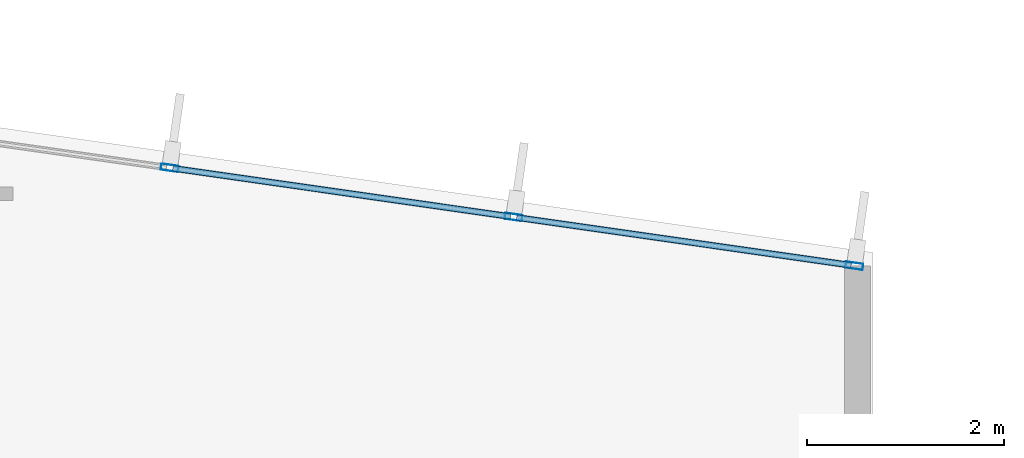
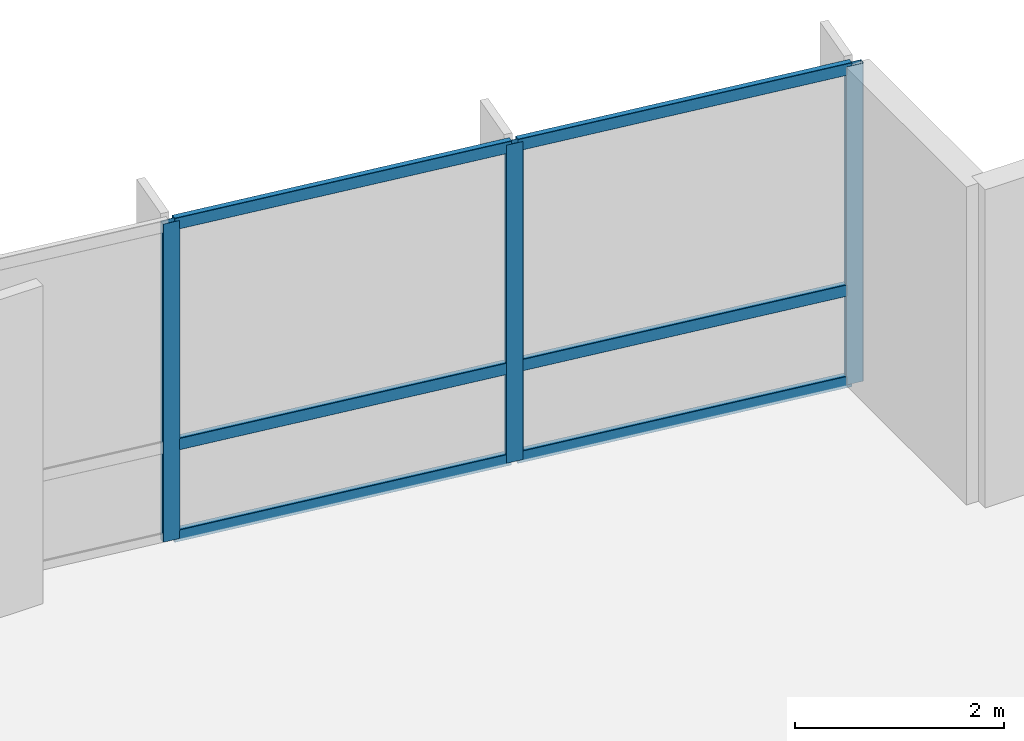
# One storey, part 8 of 16: 9 members, 1 element without a shape of its own.
"""IFC4 building model written with IfcOpenShell, lengths in metres."""

from ifc_helpers import new_model, si_unit, direction, frame, origin, origin_2d, place, context, subcontext, project, spatial, hollow_rectangle, extrude, material, layer, layer_set, material_profile, profile_set, type_object, element, aggregate, save


model = new_model("IFC4")

# Units and contexts
model_context = context("Model", 3, precision=1e-05, world=origin(), true_north=direction((0.0, 1.0)))
body_context = subcontext(model_context, "Body", "Model", "MODEL_VIEW")
ifc_project = project(units=[si_unit("LENGTHUNIT", "METRE"), si_unit("AREAUNIT", "SQUARE_METRE"), si_unit("VOLUMEUNIT", "CUBIC_METRE"), si_unit("PLANEANGLEUNIT", "RADIAN"), si_unit("MASSUNIT", "GRAM", prefix="KILO")], contexts=[model_context])

# Site, building, storey
site_placement = place(None, origin())
site = spatial("IfcSite", under=ifc_project, at=site_placement, CompositionType="ELEMENT")
building_placement = place(site_placement, origin())
building = spatial("IfcBuilding", under=site, at=building_placement, Name="Varnakote Quay Hospital", CompositionType="ELEMENT")
storey_placement = place(building_placement, frame((0.0, 0.0, 288.14990234375)))
storey = spatial("IfcBuildingStorey", under=building, at=storey_placement, Name="L71", CompositionType="ELEMENT", Elevation=288.14990234375)

# Curtain wall, members
ifc_material_1 = material(Name="Anodised aluminium 6063-T6 Bronze", Category="aluminium")
ifc_layer = layer(ifc_material_1, 0.235107421875)
ifc_layer_set = layer_set([ifc_layer], Name="Anodised aluminium 6063-T6 Bronze")
curtain_wall_type = type_object("IfcCurtainWallType", Name="CW-SYS-5", PredefinedType="NOTDEFINED", material=ifc_layer_set)
curtain_wall_placement = place(storey_placement, origin())
curtain_wall = element("IfcCurtainWall", 1, at=curtain_wall_placement, inside=storey, type_object=curtain_wall_type, Name="L71 Unitised Bronze Curtain Wall 1", PredefinedType="NOTDEFINED")
ifc_material_2 = material(Name="Anodised aluminium 6063-T6 Bronze", Category="aluminium")
ifc_material_profile_1 = material_profile(ifc_material_2, hollow_rectangle(XDim=0.06494140625, YDim=0.179931640625, WallThickness=0.00390625, InnerFilletRadius=0.00390625, OuterFilletRadius=0.008056640625, at=origin_2d()), Name="CW-MULL-180x65")
ifc_profile_set_1 = profile_set([ifc_material_profile_1], Name="Anodised aluminium 6063-T6 Bronze")
member_type_1 = type_object("IfcMemberType", Name="CW-MULL-180x65", PredefinedType="MULLION", material=ifc_profile_set_1)
member_1_placement = place(storey_placement, frame((37.90771484375, 27.666015625, 0.0), z_axis=(0.0, 0.0, 1.0), x_axis=(-0.141571876691, -0.989927979062, 0.0)))
member_1 = element("IfcMember", 2, at=member_1_placement, type_object=member_type_1, Name="-5-L71-1 mullion 1", PredefinedType="MULLION", context=body_context, shape_type="SweptSolid", body=[
    extrude(hollow_rectangle(XDim=0.06494140625, YDim=0.179931640625, WallThickness=0.00390625, InnerFilletRadius=0.00390625, OuterFilletRadius=0.008056640625, at=origin_2d()), origin(), (0.0, 0.0, 1.0), 3.710205078125),
])
member_2_placement = place(storey_placement, frame((34.441162109375, 28.16162109375, 0.0), z_axis=(0.0, 0.0, 1.0), x_axis=(-0.141571876691, -0.989927979062, 0.0)))
member_2 = element("IfcMember", 3, at=member_2_placement, type_object=member_type_1, Name="-5-L71-1 mullion 2", PredefinedType="MULLION", context=body_context, shape_type="SweptSolid", body=[
    extrude(hollow_rectangle(XDim=0.06494140625, YDim=0.179931640625, WallThickness=0.00390625, InnerFilletRadius=0.00390625, OuterFilletRadius=0.008056640625, at=origin_2d()), origin(), (0.0, 0.0, 1.0), 3.710205078125),
])
member_3_placement = place(storey_placement, frame((30.9423828125, 28.662109375, 0.0), z_axis=(0.0, 0.0, 1.0), x_axis=(-0.141571876691, -0.989927979062, 0.0)))
member_3 = element("IfcMember", 4, at=member_3_placement, type_object=member_type_1, Name="-5-L71-1 mullion 3", PredefinedType="MULLION", context=body_context, shape_type="SweptSolid", body=[
    extrude(hollow_rectangle(XDim=0.06494140625, YDim=0.179931640625, WallThickness=0.00390625, InnerFilletRadius=0.00390625, OuterFilletRadius=0.008056640625, at=origin_2d()), origin(), (0.0, 0.0, 1.0), 3.710205078125),
])
ifc_material_3 = material(Name="Anodised aluminium 6063-T6 Bronze", Category="aluminium")
ifc_material_profile_2 = material_profile(ifc_material_3, hollow_rectangle(XDim=0.06494140625, YDim=0.139892578125, WallThickness=0.00390625, InnerFilletRadius=0.00390625, OuterFilletRadius=0.007568359375, at=origin_2d()), Name="CW-TRAN-140x65")
ifc_profile_set_2 = profile_set([ifc_material_profile_2], Name="Anodised aluminium 6063-T6 Bronze")
member_type_2 = type_object("IfcMemberType", Name="CW-TRAN-140x65", PredefinedType="USERDEFINED", material=ifc_profile_set_2)
member_4_placement = place(storey_placement, frame((37.875732421875, 27.67041015625, 0.03271484375), z_axis=(-0.989928172258, 0.141570525783, 0.0), x_axis=(-0.141570525783, -0.989928172258, 0.0)))
member_4 = element("IfcMember", 5, at=member_4_placement, type_object=member_type_2, Name="-5-L71-1 transom 1.1", ObjectType="TRANSOM", PredefinedType="USERDEFINED", context=body_context, shape_type="SweptSolid", body=[
    extrude(hollow_rectangle(XDim=0.06494140625, YDim=0.139892578125, WallThickness=0.00390625, InnerFilletRadius=0.00390625, OuterFilletRadius=0.007568359375, at=origin_2d()), origin(), (0.0, 0.0, 1.0), 3.43701171875),
])
member_5_placement = place(storey_placement, frame((37.875732421875, 27.67041015625, 1.10009765625), z_axis=(-0.989928172258, 0.141570525783, 0.0), x_axis=(-0.141570525783, -0.989928172258, 0.0)))
member_5 = element("IfcMember", 6, at=member_5_placement, type_object=member_type_2, Name="-5-L71-1 transom 1.2", ObjectType="TRANSOM", PredefinedType="USERDEFINED", context=body_context, shape_type="SweptSolid", body=[
    extrude(hollow_rectangle(XDim=0.06494140625, YDim=0.139892578125, WallThickness=0.00390625, InnerFilletRadius=0.00390625, OuterFilletRadius=0.007568359375, at=origin_2d()), origin(), (0.0, 0.0, 1.0), 3.43701171875),
])
member_6_placement = place(storey_placement, frame((37.875732421875, 27.67041015625, 3.677490234375), z_axis=(-0.989928172258, 0.141570525783, 0.0), x_axis=(-0.141570525783, -0.989928172258, 0.0)))
member_6 = element("IfcMember", 7, at=member_6_placement, type_object=member_type_2, Name="-5-L71-1 transom 1.3", ObjectType="TRANSOM", PredefinedType="USERDEFINED", context=body_context, shape_type="SweptSolid", body=[
    extrude(hollow_rectangle(XDim=0.06494140625, YDim=0.139892578125, WallThickness=0.00390625, InnerFilletRadius=0.00390625, OuterFilletRadius=0.007568359375, at=origin_2d()), origin(), (0.0, 0.0, 1.0), 3.43701171875),
])
member_7_placement = place(storey_placement, frame((34.4091796875, 28.166259765625, 0.03271484375), z_axis=(-0.989926963581, 0.141578977163, 0.0), x_axis=(-0.141578977163, -0.989926963581, 0.0)))
member_7 = element("IfcMember", 8, at=member_7_placement, type_object=member_type_2, Name="-5-L71-1 transom 2.1", ObjectType="TRANSOM", PredefinedType="USERDEFINED", context=body_context, shape_type="SweptSolid", body=[
    extrude(hollow_rectangle(XDim=0.06494140625, YDim=0.139892578125, WallThickness=0.00390625, InnerFilletRadius=0.00390625, OuterFilletRadius=0.007568359375, at=origin_2d()), origin(), (0.0, 0.0, 1.0), 3.469482421875),
])
member_8_placement = place(storey_placement, frame((34.4091796875, 28.166259765625, 1.10009765625), z_axis=(-0.989926963581, 0.141578977163, 0.0), x_axis=(-0.141578977163, -0.989926963581, 0.0)))
member_8 = element("IfcMember", 9, at=member_8_placement, type_object=member_type_2, Name="-5-L71-1 transom 2.2", ObjectType="TRANSOM", PredefinedType="USERDEFINED", context=body_context, shape_type="SweptSolid", body=[
    extrude(hollow_rectangle(XDim=0.06494140625, YDim=0.139892578125, WallThickness=0.00390625, InnerFilletRadius=0.00390625, OuterFilletRadius=0.007568359375, at=origin_2d()), origin(), (0.0, 0.0, 1.0), 3.469482421875),
])
member_9_placement = place(storey_placement, frame((34.4091796875, 28.166259765625, 3.677490234375), z_axis=(-0.989926963581, 0.141578977163, 0.0), x_axis=(-0.141578977163, -0.989926963581, 0.0)))
member_9 = element("IfcMember", 10, at=member_9_placement, type_object=member_type_2, Name="-5-L71-1 transom 2.3", ObjectType="TRANSOM", PredefinedType="USERDEFINED", context=body_context, shape_type="SweptSolid", body=[
    extrude(hollow_rectangle(XDim=0.06494140625, YDim=0.139892578125, WallThickness=0.00390625, InnerFilletRadius=0.00390625, OuterFilletRadius=0.007568359375, at=origin_2d()), origin(), (0.0, 0.0, 1.0), 3.469482421875),
])
aggregate(curtain_wall, [member_1, member_2, member_3, member_4, member_5, member_6, member_7, member_8, member_9])

save(model, "model.ifc")
